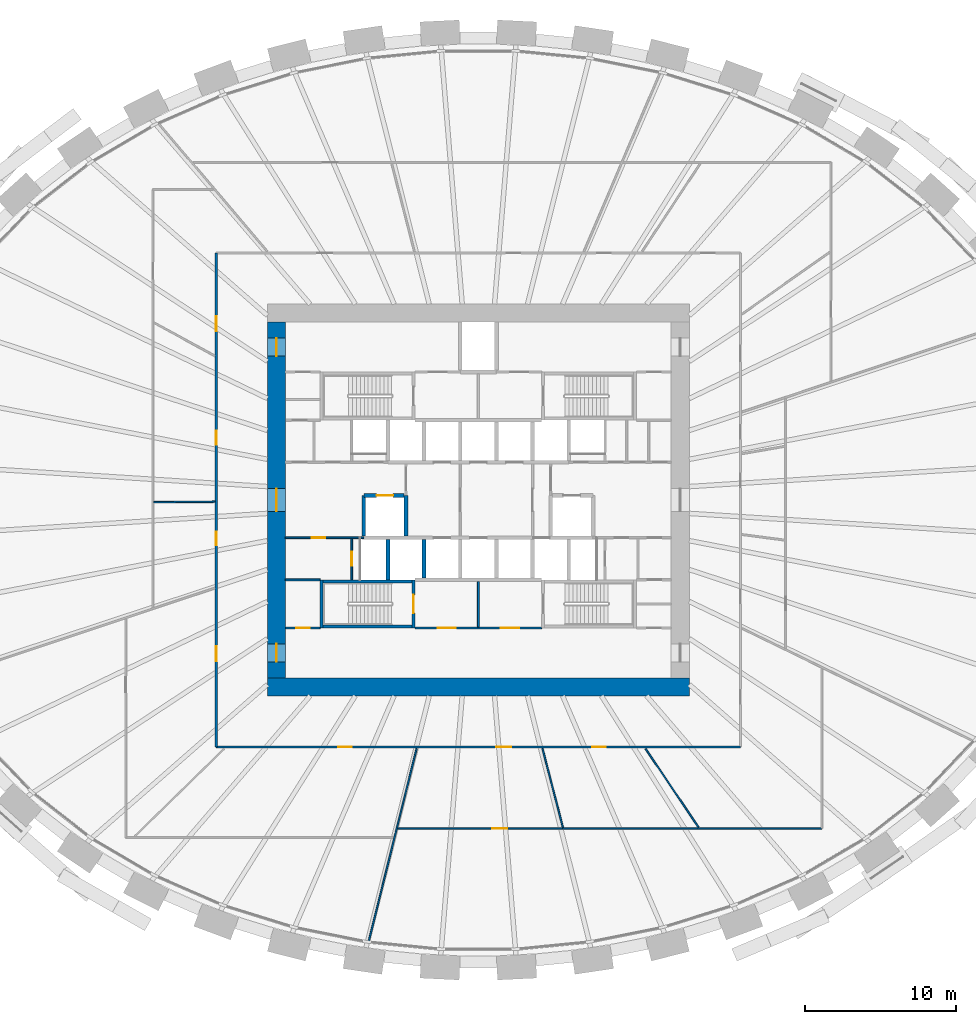
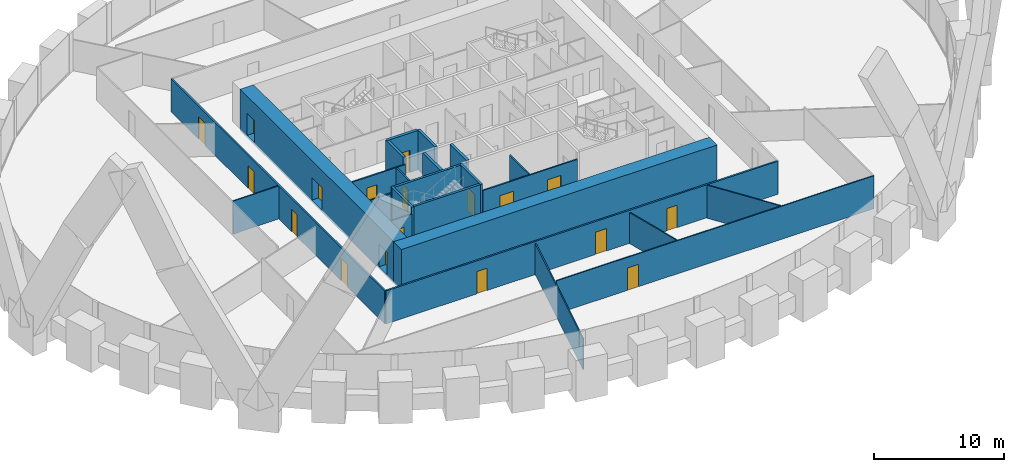
# One storey, part 7 of 12: 24 walls, 18 doors, 18 openings.
"""IFC4 building model written with IfcOpenShell, lengths in metres."""

import ifcopenshell
import ifcopenshell.guid

model = None  # the IFC model being written
_history = None  # IfcOwnerHistory: only IFC2X3 demands one
_inside = {}  # id of a spatial element -> (the spatial element, [elements in it])
_under = {}  # id of a project, library or spatial element -> (it, [spatial elements below it])
_declared = {}  # id of a project -> (the project, [libraries it declares])
_typed = {}  # id of a type object -> (the type object, [elements of that type])
_made_of = {}  # id of a material, layer set ... -> (it, [elements and type objects made of it])


def new_model(schema):
    """Start an empty IFC model of exactly this schema.

    Asked for "IFC4X3", IfcOpenShell would pick the latest addendum, in which some entities
    have other attributes; the version numbers below select the first issue.
    IFC2X3 requires an IfcOwnerHistory on every rooted entity: one is made here for all.
    """
    global model, _history
    if schema == "IFC4X3":
        model = ifcopenshell.file(schema_version=(4, 3, 0, 0))
    else:
        model = ifcopenshell.file(schema=schema)
    _inside.clear()
    _under.clear()
    _declared.clear()
    _typed.clear()
    _made_of.clear()
    _history = None
    if model.schema == "IFC2X3":
        org = make("IfcOrganization", Name="unknown")
        user = make(
            "IfcPersonAndOrganization",
            ThePerson=make("IfcPerson", FamilyName="unknown"),
            TheOrganization=org,
        )
        app = make(
            "IfcApplication",
            ApplicationDeveloper=org,
            Version="unknown",
            ApplicationFullName="unknown",
            ApplicationIdentifier="unknown",
        )
        _history = make(
            "IfcOwnerHistory",
            OwningUser=user,
            OwningApplication=app,
            ChangeAction="ADDED",
            CreationDate=0,
        )
    return model


def make(cls, **values):
    """One entity of the class cls with the attributes given. An attribute that is None is left unset."""
    return model.create_entity(
        cls, **{name: value for name, value in values.items() if value is not None}
    )


def rooted(cls, **values):
    """An entity with a GlobalId (a new one), such as an element, a storey or a relation."""
    return make(cls, GlobalId=ifcopenshell.guid.new(), OwnerHistory=_history, **values)


def si_unit(unit_type, name, prefix=None):
    """IfcSIUnit, for example si_unit("LENGTHUNIT", "METRE", prefix="MILLI")."""
    return make("IfcSIUnit", UnitType=unit_type, Prefix=prefix, Name=name)


def assignment(units):
    """IfcUnitAssignment: the units of a project."""
    return None if units is None else make("IfcUnitAssignment", Units=units)


def point(xyz):
    """IfcCartesianPoint."""
    return None if xyz is None else make("IfcCartesianPoint", Coordinates=xyz)


def direction(xyz):
    """IfcDirection."""
    return None if xyz is None else make("IfcDirection", DirectionRatios=xyz)


def frame(location, z_axis=None, x_axis=None):
    """IfcAxis2Placement3D, a coordinate frame: its origin and axes. An axis left out is left unset."""
    return make(
        "IfcAxis2Placement3D",
        Location=point(location),
        Axis=direction(z_axis),
        RefDirection=direction(x_axis),
    )


def frame_2d(location, x_axis=None):
    """IfcAxis2Placement2D, a coordinate frame in the plane: its origin and x axis."""
    return make(
        "IfcAxis2Placement2D", Location=point(location), RefDirection=direction(x_axis)
    )


def origin():
    """The frame at (0, 0, 0) with its axes left unset."""
    return frame((0.0, 0.0, 0.0))


def place(relative_to, where):
    """IfcLocalPlacement: puts the frame where relative to a parent placement (None: the world)."""
    return make(
        "IfcLocalPlacement", PlacementRelTo=relative_to, RelativePlacement=where
    )


def context(
    kind, dimensions, precision=None, world=None, true_north=None, identifier=None
):
    """IfcGeometricRepresentationContext, for example the 3D "Model" context."""
    return make(
        "IfcGeometricRepresentationContext",
        ContextIdentifier=identifier,
        ContextType=kind,
        CoordinateSpaceDimension=dimensions,
        Precision=precision,
        WorldCoordinateSystem=world,
        TrueNorth=true_north,
    )


def subcontext(parent, identifier, kind, view, scale=None):
    """IfcGeometricRepresentationSubContext, for example "Body" below "Model"."""
    return make(
        "IfcGeometricRepresentationSubContext",
        ContextIdentifier=identifier,
        ContextType=kind,
        ParentContext=parent,
        TargetScale=scale,
        TargetView=view,
    )


def project(units=None, contexts=None):
    """IfcProject with its units and contexts."""
    return rooted(
        "IfcProject",
        Name="project",
        RepresentationContexts=contexts,
        UnitsInContext=assignment(units),
    )


def spatial(cls, under=None, at=None, **own):
    """A site, building, storey or space (cls), placed at a placement, below another one or the project."""
    s = rooted(cls, ObjectPlacement=at, **own)
    if under is not None:
        _under.setdefault(under.id(), (under, []))[1].append(s)
    return s


def profile(cls, at=None, kind="AREA", **sizes):
    """A parametric profile (cls). Its sizes go by their IFC names, for example OverallWidth=200.0."""
    return make(cls, ProfileType=kind, Position=at, **sizes)


def rectangle(**sizes):
    """IfcRectangleProfileDef."""
    return profile("IfcRectangleProfileDef", **sizes)


def extrude(swept, where, along, depth):
    """IfcExtrudedAreaSolid: the profile swept, set in the frame where, extruded along a direction by depth."""
    return make(
        "IfcExtrudedAreaSolid",
        SweptArea=swept,
        Position=where,
        ExtrudedDirection=direction(along),
        Depth=depth,
    )


def shape(context_of_items, identifier, shape_type, items):
    """IfcShapeRepresentation: the items that make up one representation, for example the "Body"."""
    return make(
        "IfcShapeRepresentation",
        ContextOfItems=context_of_items,
        RepresentationIdentifier=identifier,
        RepresentationType=shape_type,
        Items=items,
    )


def source(mapping_origin, context_of_items, identifier, shape_type, items):
    """IfcRepresentationMap: a shape defined once, which mapped items show again and again."""
    return make(
        "IfcRepresentationMap",
        MappingOrigin=mapping_origin,
        MappedRepresentation=shape(context_of_items, identifier, shape_type, items),
    )


def transform(
    local_origin,
    x_axis=None,
    y_axis=None,
    z_axis=None,
    scale=None,
    scale2=None,
    scale3=None,
    uniform=True,
):
    """IfcCartesianTransformationOperator3D, or its non-uniform kind. x_axis, y_axis, z_axis: its Axis1, 2, 3."""
    if uniform:
        return make(
            "IfcCartesianTransformationOperator3D",
            Axis1=direction(x_axis),
            Axis2=direction(y_axis),
            LocalOrigin=point(local_origin),
            Scale=scale,
            Axis3=direction(z_axis),
        )
    return make(
        "IfcCartesianTransformationOperator3DnonUniform",
        Axis1=direction(x_axis),
        Axis2=direction(y_axis),
        LocalOrigin=point(local_origin),
        Scale=scale,
        Axis3=direction(z_axis),
        Scale2=scale2,
        Scale3=scale3,
    )


def mapped(mapping_source, mapping_target):
    """IfcMappedItem: shows the shape of a source again, moved by a transform."""
    return make(
        "IfcMappedItem", MappingSource=mapping_source, MappingTarget=mapping_target
    )


def material(Name=None, Category=None):
    """IfcMaterial."""
    return make("IfcMaterial", Name=Name, Category=Category)


def layer(
    of_material, thickness, ventilated=None, Name=None, Category=None, Priority=None
):
    """IfcMaterialLayer: one layer of a wall or slab, of a material (None: an air gap)."""
    return make(
        "IfcMaterialLayer",
        Material=of_material,
        LayerThickness=thickness,
        IsVentilated=ventilated,
        Name=Name,
        Category=Category,
        Priority=Priority,
    )


def layer_set(layers, Name=None):
    """IfcMaterialLayerSet."""
    return make("IfcMaterialLayerSet", MaterialLayers=layers, LayerSetName=Name)


def made_of(thing, what):
    """Note that an element or type object is made of a material, layer set ...; save() writes the relation."""
    if what is not None:
        _made_of.setdefault(what.id(), (what, []))[1].append(thing)
    return thing


def type_object(cls, material=None, **own):
    """A type object (cls), such as IfcWallType, which elements share."""
    return made_of(rooted(cls, **own), material)


def element(
    cls,
    number,
    at=None,
    inside=None,
    cuts=None,
    type_object=None,
    material=None,
    context=None,
    identifier="Body",
    shape_type=None,
    held_by="IfcProductDefinitionShape",
    body=None,
    shapes=None,
    **own,
):
    """One element of the class cls, such as IfcWall. Its Tag is "e" and its number.

    at: its placement. inside: the storey or other place that contains it. cuts: it is an
    opening in that element (IfcRelVoidsElement). A single representation is given by context,
    identifier, shape_type and body (its items); several are given by shapes. held_by: the class
    of the entity that holds the representations. save() writes the other relations.
    """
    e = rooted(cls, Tag="e%d" % number, ObjectPlacement=at, **own)
    if body is not None:
        shapes = [shape(context, identifier, shape_type, body)]
    if shapes is not None:
        e.Representation = make(held_by, Representations=shapes)
    if inside is not None:
        _inside.setdefault(inside.id(), (inside, []))[1].append(e)
    if cuts is not None:
        rooted(
            "IfcRelVoidsElement", RelatingBuildingElement=cuts, RelatedOpeningElement=e
        )
    if type_object is not None:
        _typed.setdefault(type_object.id(), (type_object, []))[1].append(e)
    return made_of(e, material)


def fill(opening, filler):
    """IfcRelFillsElement: the door or window that sits in an opening."""
    return rooted(
        "IfcRelFillsElement",
        RelatingOpeningElement=opening,
        RelatedBuildingElement=filler,
    )


def aggregate(whole, parts):
    """IfcRelAggregates: a whole, such as a stair, and the parts it consists of."""
    return rooted("IfcRelAggregates", RelatingObject=whole, RelatedObjects=parts)


def save(model, path):
    """Write the relations noted so far, then the file.

    IfcRelAggregates (storeys below a building ...), IfcRelContainedInSpatialStructure (elements
    in a storey), IfcRelDefinesByType, IfcRelAssociatesMaterial and IfcRelDeclares: one each for
    every whole, place, type object, material and project.
    """
    for whole, parts in _under.values():
        aggregate(whole, parts)
    for where, things in _inside.values():
        rooted(
            "IfcRelContainedInSpatialStructure",
            RelatedElements=things,
            RelatingStructure=where,
        )
    for kind, things in _typed.values():
        rooted("IfcRelDefinesByType", RelatedObjects=things, RelatingType=kind)
    for what, things in _made_of.values():
        rooted("IfcRelAssociatesMaterial", RelatedObjects=things, RelatingMaterial=what)
    for by, libraries in _declared.values():
        rooted("IfcRelDeclares", RelatingContext=by, RelatedDefinitions=libraries)
    model.write(path)


model = new_model("IFC4")

# Units and contexts
model_context = context("Model", 3, precision=1e-05, world=origin(), true_north=direction((0.0, 1.0)))
body_context = subcontext(model_context, "Body", "Model", "MODEL_VIEW")
ifc_project = project(units=[si_unit("LENGTHUNIT", "METRE"), si_unit("AREAUNIT", "SQUARE_METRE"), si_unit("VOLUMEUNIT", "CUBIC_METRE"), si_unit("PLANEANGLEUNIT", "RADIAN"), si_unit("MASSUNIT", "GRAM", prefix="KILO")], contexts=[model_context])

# Site, building, storey
site_placement = place(None, origin())
site = spatial("IfcSite", under=ifc_project, at=site_placement, CompositionType="ELEMENT")
building_placement = place(site_placement, origin())
building = spatial("IfcBuilding", under=site, at=building_placement, Name="Embergate Tower", CompositionType="ELEMENT")
storey_placement = place(building_placement, frame((0.0, 0.0, 45.800048828125)))
storey = spatial("IfcBuildingStorey", under=building, at=storey_placement, Name="L07", CompositionType="ELEMENT", Elevation=45.800048828125)

# Wall
ifc_material_1 = material(Name="Concrete C80", Category="concrete")
ifc_layer_1 = layer(ifc_material_1, 1.199951171875)
ifc_layer_set_1 = layer_set([ifc_layer_1], Name="Concrete C80")
wall_type_1 = type_object("IfcWallType", Name="Core outer wall C80 1200", PredefinedType="SHEAR", material=ifc_layer_set_1)
shared_shape_1 = source(origin(), body_context, "Body", "SweptSolid", [
    extrude(rectangle(XDim=28.0, YDim=1.199951171875, at=frame_2d((14.0, 0.0))), origin(), (0.0, 0.0, 1.0), 3.89990234375),
])
wall_1_placement = place(storey_placement, frame((-14.0, -12.39990234375, -0.199951171875), z_axis=(0.0, 0.0, 1.0), x_axis=(1.0, 0.0, 0.0)))
element("IfcWall", 1, at=wall_1_placement, inside=storey, type_object=wall_type_1, Name="CW-L07-S", PredefinedType="SHEAR", context=body_context, shape_type="MappedRepresentation", body=[
    mapped(shared_shape_1, transform((0.0, 0.0, 0.0))),
])

# Wall, openings, doors
shared_shape_2 = source(origin(), body_context, "Body", "SweptSolid", [
    extrude(rectangle(XDim=23.60009765625, YDim=1.199951171875, at=frame_2d((11.800048828125, 0.0))), origin(), (0.0, 0.0, 1.0), 3.89990234375),
])
wall_2_placement = place(storey_placement, frame((-13.39990234375, -11.800048828125, -0.199951171875), z_axis=(0.0, 0.0, 1.0), x_axis=(0.0, 1.0, 0.0)))
wall_2 = element("IfcWall", 2, at=wall_2_placement, inside=storey, type_object=wall_type_1, Name="CW-L07-W", PredefinedType="SHEAR", context=body_context, shape_type="MappedRepresentation", body=[
    mapped(shared_shape_2, transform((0.0, 0.0, 0.0))),
])
shared_shape_3 = source(origin(), body_context, "Body", "SweptSolid", [
    extrude(rectangle(XDim=1.199951171875, YDim=2.10009765625, at=frame_2d((0.60009765625, 1.050048828125))), frame((0.0, 0.60986328125, 0.0), z_axis=(0.0, -1.0, 0.0), x_axis=(1.0, 0.0, 0.0)), (0.0, 0.0, 1.0), 1.219970703125),
])
opening_1_placement = place(wall_2_placement, frame((21.35009765625, 0.0, 0.199951171875)))
opening_1 = element("IfcOpeningElement", 3, at=opening_1_placement, cuts=wall_2, Name="Opening IF-1", PredefinedType="OPENING", context=body_context, shape_type="MappedRepresentation", body=[
    mapped(shared_shape_3, transform((0.0, 0.0, 0.0))),
])
opening_2_placement = place(wall_2_placement, frame((1.050048828125, 0.0, 0.199951171875)))
opening_2 = element("IfcOpeningElement", 4, at=opening_2_placement, cuts=wall_2, Name="Opening IF-1", PredefinedType="OPENING", context=body_context, shape_type="MappedRepresentation", body=[
    mapped(shared_shape_3, transform((0.0, 0.0, 0.0))),
])
shared_shape_4 = source(origin(), body_context, "Body", "SweptSolid", [
    extrude(rectangle(XDim=1.5, YDim=2.10009765625, at=frame_2d((0.75, 1.050048828125))), frame((0.0, 0.60986328125, 0.0), z_axis=(0.0, -1.0, 0.0), x_axis=(1.0, 0.0, 0.0)), (0.0, 0.0, 1.0), 1.219970703125),
])
opening_3_placement = place(wall_2_placement, frame((11.050048828125, 0.0, 0.199951171875)))
opening_3 = element("IfcOpeningElement", 5, at=opening_3_placement, cuts=wall_2, Name="Opening IF-3", PredefinedType="OPENING", context=body_context, shape_type="MappedRepresentation", body=[
    mapped(shared_shape_4, transform((0.0, 0.0, 0.0))),
])
ifc_material_2 = material(Name="Escape fire door 1200")
door_type_1 = type_object("IfcDoorType", Name="Escape fire door 1200", OperationType="SINGLE_SWING_LEFT", PredefinedType="DOOR", material=ifc_material_2)
shared_shape_5 = source(origin(), body_context, "Body", "SweptSolid", [
    extrude(rectangle(XDim=1.199951171875, YDim=2.10009765625, at=frame_2d((0.60009765625, 1.050048828125))), frame((0.0, 0.02490234375, 0.0), z_axis=(0.0, -1.0, 0.0), x_axis=(1.0, 0.0, 0.0)), (0.0, 0.0, 1.0), 0.050048828125),
])
door_1_placement = place(opening_1_placement, origin())
door_1 = element("IfcDoor", 6, at=door_1_placement, inside=storey, type_object=door_type_1, Name="IF-1 door", OperationType="SINGLE_SWING_RIGHT", OverallHeight=2.10009765625, OverallWidth=1.199951171875, PredefinedType="DOOR", context=body_context, shape_type="MappedRepresentation", body=[
    mapped(shared_shape_5, transform((0.0, 0.0, 0.0))),
])
fill(opening_1, door_1)
door_2_placement = place(opening_2_placement, origin())
door_2 = element("IfcDoor", 7, at=door_2_placement, inside=storey, type_object=door_type_1, Name="IF-1 door", OperationType="SINGLE_SWING_RIGHT", OverallHeight=2.10009765625, OverallWidth=1.199951171875, PredefinedType="DOOR", context=body_context, shape_type="MappedRepresentation", body=[
    mapped(shared_shape_5, transform((0.0, 0.0, 0.0))),
])
fill(opening_2, door_2)
ifc_material_3 = material(Name="Lobby fire door pair 1500")
door_type_2 = type_object("IfcDoorType", Name="Lobby fire door pair 1500", OperationType="DOUBLE_DOOR_SINGLE_SWING", PredefinedType="DOOR", material=ifc_material_3)
shared_shape_6 = source(origin(), body_context, "Body", "SweptSolid", [
    extrude(rectangle(XDim=1.5, YDim=2.10009765625, at=frame_2d((0.75, 1.050048828125))), frame((0.0, 0.02490234375, 0.0), z_axis=(0.0, -1.0, 0.0), x_axis=(1.0, 0.0, 0.0)), (0.0, 0.0, 1.0), 0.050048828125),
])
door_3_placement = place(opening_3_placement, origin())
door_3 = element("IfcDoor", 8, at=door_3_placement, inside=storey, type_object=door_type_2, Name="IF-3 door", OperationType="DOUBLE_DOOR_SINGLE_SWING", OverallHeight=2.10009765625, OverallWidth=1.5, PredefinedType="DOOR", context=body_context, shape_type="MappedRepresentation", body=[
    mapped(shared_shape_6, transform((0.0, 0.0, 0.0))),
])
fill(opening_3, door_3)

# Walls
ifc_material_4 = material(Name="Concrete C50", Category="concrete")
ifc_layer_2 = layer(ifc_material_4, 0.25)
ifc_layer_set_2 = layer_set([ifc_layer_2], Name="Concrete C50")
wall_type_2 = type_object("IfcWallType", Name="Hoistway wall reinforced concrete 250", PredefinedType="SHEAR", material=ifc_layer_set_2)
shared_shape_7 = source(origin(), body_context, "Body", "SweptSolid", [
    extrude(rectangle(XDim=2.675048828125, YDim=0.25, at=frame_2d((1.33740234375, 0.0))), origin(), (0.0, 0.0, 1.0), 3.699951171875),
])
for number, where, z_axis, x_axis, name in (
    (9, (-6.0, -5.300048828125, 0.0), (0.0, 0.0, 1.0), (0.0, 1.0, 0.0), "HW-1 wall"),
    (10, (-4.800048828125, 0.300048828125, 0.0), (0.0, 0.0, 1.0), (0.0, -1.0, 0.0), "HW-1 wall"),
):
    element("IfcWall", number, at=place(storey_placement, frame(where, z_axis=z_axis, x_axis=x_axis)), inside=storey, type_object=wall_type_2, Name=name, PredefinedType="SHEAR", context=body_context, shape_type="MappedRepresentation", body=[
        mapped(shared_shape_7, transform((0.0, 0.0, 0.0))),
    ])

# Wall, opening, door
wall_3_placement = place(storey_placement, frame((-4.925048828125, 0.300048828125, 0.0), z_axis=(0.0, 0.0, 1.0), x_axis=(-1.0, 0.0, 0.0)))
wall_3 = element("IfcWall", 11, at=wall_3_placement, inside=storey, type_object=wall_type_2, Name="HW-1 wall", PredefinedType="SHEAR", context=body_context, shape_type="MappedRepresentation", body=[
    mapped(shared_shape_7, transform((0.0, 0.0, 0.0))),
])
shared_shape_8 = source(origin(), body_context, "Body", "SweptSolid", [
    extrude(rectangle(XDim=1.10009765625, YDim=2.10009765625, at=frame_2d((0.550048828125, 1.050048828125))), frame((0.0, 0.135009765625, 0.0), z_axis=(0.0, -1.0, 0.0), x_axis=(1.0, 0.0, 0.0)), (0.0, 0.0, 1.0), 0.27001953125),
])
opening_4_placement = place(wall_3_placement, frame((0.72509765625, 0.0, 0.0)))
opening_4 = element("IfcOpeningElement", 12, at=opening_4_placement, cuts=wall_3, Name="Opening LD", PredefinedType="OPENING", context=body_context, shape_type="MappedRepresentation", body=[
    mapped(shared_shape_8, transform((0.0, 0.0, 0.0))),
])
ifc_material_5 = material(Name="Landing door sliding 1100")
door_type_3 = type_object("IfcDoorType", Name="Landing door sliding 1100", OperationType="SLIDING_TO_LEFT", PredefinedType="DOOR", material=ifc_material_5)
shared_shape_9 = source(origin(), body_context, "Body", "SweptSolid", [
    extrude(rectangle(XDim=1.10009765625, YDim=2.10009765625, at=frame_2d((0.550048828125, 1.050048828125))), frame((0.0, 0.02490234375, 0.0), z_axis=(0.0, -1.0, 0.0), x_axis=(1.0, 0.0, 0.0)), (0.0, 0.0, 1.0), 0.050048828125),
])
door_4_placement = place(opening_4_placement, origin())
door_4 = element("IfcDoor", 13, at=door_4_placement, inside=storey, type_object=door_type_3, Name="LD door", OperationType="SLIDING_TO_LEFT", OverallHeight=2.10009765625, OverallWidth=1.10009765625, PredefinedType="DOOR", context=body_context, shape_type="MappedRepresentation", body=[
    mapped(shared_shape_9, transform((0.0, 0.0, 0.0))),
])
fill(opening_4, door_4)

# Walls
wall_4_placement = place(storey_placement, frame((-7.60009765625, 0.300048828125, 0.0), z_axis=(0.0, 0.0, 1.0), x_axis=(0.0, -1.0, 0.0)))
element("IfcWall", 14, at=wall_4_placement, inside=storey, type_object=wall_type_2, Name="HW-1 wall", PredefinedType="SHEAR", context=body_context, shape_type="MappedRepresentation", body=[
    mapped(shared_shape_7, transform((0.0, 0.0, 0.0))),
])
ifc_layer_3 = layer(ifc_material_4, 0.199951171875)
ifc_layer_set_3 = layer_set([ifc_layer_3], Name="Concrete C50")
wall_type_3 = type_object("IfcWallType", Name="Stair enclosure wall reinforced concrete 250", PredefinedType="SHEAR", material=ifc_layer_set_3)
shared_shape_10 = source(origin(), body_context, "Body", "SweptSolid", [
    extrude(rectangle(XDim=6.300048828125, YDim=0.199951171875, at=frame_2d((3.14990234375, 0.0))), origin(), (0.0, 0.0, 1.0), 3.699951171875),
])
for number, where, z_axis, x_axis, name in (
    (15, (-10.5, -5.39990234375, 0.0), (0.0, 0.0, 1.0), (1.0, 0.0, 0.0), "SE-1 wall"),
    (16, (-10.5, -8.39990234375, 0.0), (0.0, 0.0, 1.0), (1.0, 0.0, 0.0), "SE-1 wall"),
):
    element("IfcWall", number, at=place(storey_placement, frame(where, z_axis=z_axis, x_axis=x_axis)), inside=storey, type_object=wall_type_3, Name=name, PredefinedType="SHEAR", context=body_context, shape_type="MappedRepresentation", body=[
        mapped(shared_shape_10, transform((0.0, 0.0, 0.0))),
    ])
shared_shape_11 = source(origin(), body_context, "Body", "SweptSolid", [
    extrude(rectangle(XDim=2.550048828125, YDim=0.25, at=frame_2d((1.27490234375, 0.0))), origin(), (0.0, 0.0, 1.0), 3.699951171875),
])
wall_5_placement = place(storey_placement, frame((-3.60009765625, -5.175048828125, 0.0), z_axis=(0.0, 0.0, 1.0), x_axis=(0.0, 1.0, 0.0)))
element("IfcWall", 17, at=wall_5_placement, inside=storey, type_object=wall_type_2, Name="HW-1 wall", PredefinedType="SHEAR", context=body_context, shape_type="MappedRepresentation", body=[
    mapped(shared_shape_11, transform((0.0, 0.0, 0.0))),
])

# Wall, opening, door
shared_shape_12 = source(origin(), body_context, "Body", "SweptSolid", [
    extrude(rectangle(XDim=3.199951171875, YDim=0.199951171875, at=frame_2d((1.60009765625, 0.0))), origin(), (0.0, 0.0, 1.0), 3.699951171875),
])
wall_6_placement = place(storey_placement, frame((-4.300048828125, -8.5, 0.0), z_axis=(0.0, 0.0, 1.0), x_axis=(0.0, 1.0, 0.0)))
wall_6 = element("IfcWall", 18, at=wall_6_placement, inside=storey, type_object=wall_type_3, Name="SE-1 wall", PredefinedType="SHEAR", context=body_context, shape_type="MappedRepresentation", body=[
    mapped(shared_shape_12, transform((0.0, 0.0, 0.0))),
])
shared_shape_13 = source(origin(), body_context, "Body", "SweptSolid", [
    extrude(rectangle(XDim=1.199951171875, YDim=2.10009765625, at=frame_2d((0.60009765625, 1.050048828125))), frame((0.0, 0.10986328125, 0.0), z_axis=(0.0, -1.0, 0.0), x_axis=(1.0, 0.0, 0.0)), (0.0, 0.0, 1.0), 0.219970703125),
])
opening_5_placement = place(wall_6_placement, frame((1.0, 0.0, 0.0)))
opening_5 = element("IfcOpeningElement", 19, at=opening_5_placement, cuts=wall_6, Name="Opening IF-2", PredefinedType="OPENING", context=body_context, shape_type="MappedRepresentation", body=[
    mapped(shared_shape_13, transform((0.0, 0.0, 0.0))),
])
ifc_material_6 = material(Name="Stair enclosure door 1200")
door_type_4 = type_object("IfcDoorType", Name="Stair enclosure door 1200", OperationType="SINGLE_SWING_LEFT", PredefinedType="DOOR", material=ifc_material_6)
door_5_placement = place(opening_5_placement, origin())
door_5 = element("IfcDoor", 20, at=door_5_placement, inside=storey, type_object=door_type_4, Name="IF-2 door", OperationType="SINGLE_SWING_LEFT", OverallHeight=2.10009765625, OverallWidth=1.199951171875, PredefinedType="DOOR", context=body_context, shape_type="MappedRepresentation", body=[
    mapped(shared_shape_5, transform((0.0, 0.0, 0.0))),
])
fill(opening_5, door_5)

# Wall
wall_7_placement = place(storey_placement, frame((-10.39990234375, -5.300048828125, 0.0), z_axis=(0.0, 0.0, 1.0), x_axis=(0.0, -1.0, 0.0)))
element("IfcWall", 21, at=wall_7_placement, inside=storey, type_object=wall_type_3, Name="SE-1 wall", PredefinedType="SHEAR", context=body_context, shape_type="MappedRepresentation", body=[
    mapped(shared_shape_12, transform((0.0, 0.0, 0.0))),
])

# Wall, openings, doors
ifc_material_7 = material(Name="Corridor wall dry-lined 150")
ifc_layer_4 = layer(ifc_material_7, 0.14990234375)
ifc_layer_set_4 = layer_set([ifc_layer_4], Name="Corridor wall dry-lined 150")
wall_type_4 = type_object("IfcWallType", Name="Corridor wall dry-lined 150", PredefinedType="PARTITIONING", material=ifc_layer_set_4)
shared_shape_14 = source(origin(), body_context, "Body", "SweptSolid", [
    extrude(rectangle(XDim=34.7998046875, YDim=0.14990234375, at=frame_2d((17.39990234375, 0.0))), origin(), (0.0, 0.0, 1.0), 3.099853515625),
])
wall_8_placement = place(storey_placement, frame((17.39990234375, -16.39990234375, 0.0), z_axis=(0.0, 0.0, 1.0), x_axis=(-1.0, 0.0, 0.0)))
wall_8 = element("IfcWall", 22, at=wall_8_placement, inside=storey, type_object=wall_type_4, Name="IP-2 wall", PredefinedType="PARTITIONING", context=body_context, shape_type="MappedRepresentation", body=[
    mapped(shared_shape_14, transform((0.0, 0.0, 0.0))),
])
shared_shape_15 = source(origin(), body_context, "Body", "SweptSolid", [
    extrude(rectangle(XDim=0.89990234375, YDim=2.10009765625, at=frame_2d((0.449951171875, 1.050048828125))), frame((0.0, 0.0849609375, 0.0), z_axis=(0.0, -1.0, 0.0), x_axis=(1.0, 0.0, 0.0)), (0.0, 0.0, 1.0), 0.169921875),
])
opening_6_placement = place(wall_8_placement, frame((25.799072265625, 0.0, 0.0)))
opening_6 = element("IfcOpeningElement", 23, at=opening_6_placement, cuts=wall_8, Name="Opening IF-1c", PredefinedType="OPENING", context=body_context, shape_type="MappedRepresentation", body=[
    mapped(shared_shape_15, transform((0.0, 0.0, 0.0))),
])
shared_shape_16 = source(origin(), body_context, "Body", "SweptSolid", [
    extrude(rectangle(XDim=1.0, YDim=2.10009765625, at=frame_2d((0.5, 1.050048828125))), frame((0.0, 0.0849609375, 0.0), z_axis=(0.0, -1.0, 0.0), x_axis=(1.0, 0.0, 0.0)), (0.0, 0.0, 1.0), 0.169921875),
])
opening_7_placement = place(wall_8_placement, frame((15.2099609375, 0.0, 0.0)))
opening_7 = element("IfcOpeningElement", 24, at=opening_7_placement, cuts=wall_8, Name="Opening ID-2", PredefinedType="OPENING", context=body_context, shape_type="MappedRepresentation", body=[
    mapped(shared_shape_16, transform((0.0, 0.0, 0.0))),
])
opening_8_placement = place(wall_8_placement, frame((8.947998046875, 0.0, 0.0)))
opening_8 = element("IfcOpeningElement", 25, at=opening_8_placement, cuts=wall_8, Name="Opening IF-1c", PredefinedType="OPENING", context=body_context, shape_type="MappedRepresentation", body=[
    mapped(shared_shape_15, transform((0.0, 0.0, 0.0))),
])
ifc_material_8 = material(Name="Escape fire door 900")
door_type_5 = type_object("IfcDoorType", Name="Escape fire door 900", OperationType="SINGLE_SWING_LEFT", PredefinedType="DOOR", material=ifc_material_8)
shared_shape_17 = source(origin(), body_context, "Body", "SweptSolid", [
    extrude(rectangle(XDim=0.89990234375, YDim=2.10009765625, at=frame_2d((0.449951171875, 1.050048828125))), frame((0.0, 0.02490234375, 0.0), z_axis=(0.0, -1.0, 0.0), x_axis=(1.0, 0.0, 0.0)), (0.0, 0.0, 1.0), 0.050048828125),
])
door_6_placement = place(opening_6_placement, origin())
door_6 = element("IfcDoor", 26, at=door_6_placement, inside=storey, type_object=door_type_5, Name="IF-1 door", OperationType="SINGLE_SWING_LEFT", OverallHeight=2.10009765625, OverallWidth=0.89990234375, PredefinedType="DOOR", context=body_context, shape_type="MappedRepresentation", body=[
    mapped(shared_shape_17, transform((0.0, 0.0, 0.0))),
])
fill(opening_6, door_6)
door_7_placement = place(opening_8_placement, origin())
door_7 = element("IfcDoor", 27, at=door_7_placement, inside=storey, type_object=door_type_5, Name="IF-1 door", OperationType="SINGLE_SWING_LEFT", OverallHeight=2.10009765625, OverallWidth=0.89990234375, PredefinedType="DOOR", context=body_context, shape_type="MappedRepresentation", body=[
    mapped(shared_shape_17, transform((0.0, 0.0, 0.0))),
])
fill(opening_8, door_7)
ifc_material_9 = material(Name="Interior door 1000")
door_type_6 = type_object("IfcDoorType", Name="Interior door 1000", OperationType="SINGLE_SWING_LEFT", PredefinedType="DOOR", material=ifc_material_9)
shared_shape_18 = source(origin(), body_context, "Body", "SweptSolid", [
    extrude(rectangle(XDim=1.0, YDim=2.10009765625, at=frame_2d((0.5, 1.050048828125))), frame((0.0, 0.02490234375, 0.0), z_axis=(0.0, -1.0, 0.0), x_axis=(1.0, 0.0, 0.0)), (0.0, 0.0, 1.0), 0.050048828125),
])
door_8_placement = place(opening_7_placement, origin())
door_8 = element("IfcDoor", 28, at=door_8_placement, inside=storey, type_object=door_type_6, Name="ID-2 door", OperationType="SINGLE_SWING_RIGHT", OverallHeight=2.10009765625, OverallWidth=1.0, PredefinedType="DOOR", context=body_context, shape_type="MappedRepresentation", body=[
    mapped(shared_shape_18, transform((0.0, 0.0, 0.0))),
])
fill(opening_7, door_8)

shared_shape_19 = source(origin(), body_context, "Body", "SweptSolid", [
    extrude(rectangle(XDim=32.7998046875, YDim=0.14990234375, at=frame_2d((16.39990234375, 0.0))), origin(), (0.0, 0.0, 1.0), 3.099853515625),
])
wall_9_placement = place(storey_placement, frame((-17.39990234375, -16.39990234375, 0.0), z_axis=(0.0, 0.0, 1.0), x_axis=(0.0, 1.0, 0.0)))
wall_9 = element("IfcWall", 29, at=wall_9_placement, inside=storey, type_object=wall_type_4, Name="IP-2 wall", PredefinedType="PARTITIONING", context=body_context, shape_type="MappedRepresentation", body=[
    mapped(shared_shape_19, transform((0.0, 0.0, 0.0))),
])
opening_9_placement = place(wall_9_placement, frame((5.69189453125, 0.0, 0.0)))
opening_9 = element("IfcOpeningElement", 30, at=opening_9_placement, cuts=wall_9, Name="Opening ID-2", PredefinedType="OPENING", context=body_context, shape_type="MappedRepresentation", body=[
    mapped(shared_shape_16, transform((0.0, 0.0, 0.0))),
])
opening_10_placement = place(wall_9_placement, frame((27.5869140625, 0.0, 0.0)))
opening_10 = element("IfcOpeningElement", 31, at=opening_10_placement, cuts=wall_9, Name="Opening ID-2", PredefinedType="OPENING", context=body_context, shape_type="MappedRepresentation", body=[
    mapped(shared_shape_16, transform((0.0, 0.0, 0.0))),
])
opening_11_placement = place(wall_9_placement, frame((20.080078125, 0.0, 0.0)))
opening_11 = element("IfcOpeningElement", 32, at=opening_11_placement, cuts=wall_9, Name="Opening IF-1c", PredefinedType="OPENING", context=body_context, shape_type="MappedRepresentation", body=[
    mapped(shared_shape_15, transform((0.0, 0.0, 0.0))),
])
opening_12_placement = place(wall_9_placement, frame((13.406005859375, 0.0, 0.0)))
opening_12 = element("IfcOpeningElement", 33, at=opening_12_placement, cuts=wall_9, Name="Opening IF-1c", PredefinedType="OPENING", context=body_context, shape_type="MappedRepresentation", body=[
    mapped(shared_shape_15, transform((0.0, 0.0, 0.0))),
])
door_9_placement = place(opening_11_placement, origin())
door_9 = element("IfcDoor", 34, at=door_9_placement, inside=storey, type_object=door_type_5, Name="IF-1 door", OperationType="SINGLE_SWING_LEFT", OverallHeight=2.10009765625, OverallWidth=0.89990234375, PredefinedType="DOOR", context=body_context, shape_type="MappedRepresentation", body=[
    mapped(shared_shape_17, transform((0.0, 0.0, 0.0))),
])
fill(opening_11, door_9)
door_10_placement = place(opening_12_placement, origin())
door_10 = element("IfcDoor", 35, at=door_10_placement, inside=storey, type_object=door_type_5, Name="IF-1 door", OperationType="SINGLE_SWING_LEFT", OverallHeight=2.10009765625, OverallWidth=0.89990234375, PredefinedType="DOOR", context=body_context, shape_type="MappedRepresentation", body=[
    mapped(shared_shape_17, transform((0.0, 0.0, 0.0))),
])
fill(opening_12, door_10)
door_11_placement = place(opening_9_placement, origin())
door_11 = element("IfcDoor", 36, at=door_11_placement, inside=storey, type_object=door_type_6, Name="ID-2 door", OperationType="SINGLE_SWING_LEFT", OverallHeight=2.10009765625, OverallWidth=1.0, PredefinedType="DOOR", context=body_context, shape_type="MappedRepresentation", body=[
    mapped(shared_shape_18, transform((0.0, 0.0, 0.0))),
])
fill(opening_9, door_11)
door_12_placement = place(opening_10_placement, origin())
door_12 = element("IfcDoor", 37, at=door_12_placement, inside=storey, type_object=door_type_6, Name="ID-2 door", OperationType="SINGLE_SWING_LEFT", OverallHeight=2.10009765625, OverallWidth=1.0, PredefinedType="DOOR", context=body_context, shape_type="MappedRepresentation", body=[
    mapped(shared_shape_18, transform((0.0, 0.0, 0.0))),
])
fill(opening_10, door_12)

# Walls
ifc_material_10 = material(Name="Partition dry-lined 100")
ifc_layer_5 = layer(ifc_material_10, 0.10009765625)
ifc_layer_set_5 = layer_set([ifc_layer_5], Name="Partition dry-lined 100")
wall_type_5 = type_object("IfcWallType", Name="Partition dry-lined 100", PredefinedType="PARTITIONING", material=ifc_layer_set_5)
shared_shape_20 = source(origin(), body_context, "Body", "SweptSolid", [
    extrude(rectangle(XDim=13.22998046875, YDim=0.10009765625, at=frame_2d((6.614990234375, 0.0))), origin(), (0.0, 0.0, 1.0), 2.89990234375),
])
wall_10_placement = place(storey_placement, frame((-7.283935546875, -29.326904296875, 0.0), z_axis=(0.0, 0.0, 1.0), x_axis=(0.241041676811, 0.970514765493, 0.0)))
element("IfcWall", 38, at=wall_10_placement, inside=storey, type_object=wall_type_5, Name="IP-1 wall", PredefinedType="PARTITIONING", context=body_context, shape_type="MappedRepresentation", body=[
    mapped(shared_shape_20, transform((0.0, 0.0, 0.0))),
])
shared_shape_21 = source(origin(), body_context, "Body", "SweptSolid", [
    extrude(rectangle(XDim=5.422119140625, YDim=0.10009765625, at=frame_2d((2.7109375, 0.0))), origin(), (0.0, 0.0, 1.0), 2.89990234375),
])
wall_11_placement = place(storey_placement, frame((4.256103515625, -16.488037109375, 0.0), z_axis=(0.0, 0.0, 1.0), x_axis=(0.249902531464, -0.968270997587, 0.0)))
element("IfcWall", 39, at=wall_11_placement, inside=storey, type_object=wall_type_5, Name="IP-1 wall", PredefinedType="PARTITIONING", context=body_context, shape_type="MappedRepresentation", body=[
    mapped(shared_shape_21, transform((0.0, 0.0, 0.0))),
])

# Wall, opening, door
shared_shape_22 = source(origin(), body_context, "Body", "SweptSolid", [
    extrude(rectangle(XDim=28.151123046875, YDim=0.10009765625, at=frame_2d((14.07568359375, 0.0))), origin(), (0.0, 0.0, 1.0), 3.099853515625),
])
wall_12_placement = place(storey_placement, frame((-5.35107421875, -21.800048828125, 0.0), z_axis=(0.0, 0.0, 1.0), x_axis=(1.0, 0.0, 0.0)))
wall_12 = element("IfcWall", 40, at=wall_12_placement, inside=storey, type_object=wall_type_5, Name="IP-1 wall", PredefinedType="PARTITIONING", context=body_context, shape_type="MappedRepresentation", body=[
    mapped(shared_shape_22, transform((0.0, 0.0, 0.0))),
])
shared_shape_23 = source(origin(), body_context, "Body", "SweptSolid", [
    extrude(rectangle(XDim=1.0, YDim=2.10009765625, at=frame_2d((0.5, 1.050048828125))), frame((0.0, 0.06005859375, 0.0), z_axis=(0.0, -1.0, 0.0), x_axis=(1.0, 0.0, 0.0)), (0.0, 0.0, 1.0), 0.1201171875),
])
opening_13_placement = place(wall_12_placement, frame((6.27880859375, 0.0, 0.0)))
opening_13 = element("IfcOpeningElement", 41, at=opening_13_placement, cuts=wall_12, Name="Opening ID-2", PredefinedType="OPENING", context=body_context, shape_type="MappedRepresentation", body=[
    mapped(shared_shape_23, transform((0.0, 0.0, 0.0))),
])
door_13_placement = place(opening_13_placement, origin())
door_13 = element("IfcDoor", 42, at=door_13_placement, inside=storey, type_object=door_type_6, Name="ID-2 door", OperationType="SINGLE_SWING_LEFT", OverallHeight=2.10009765625, OverallWidth=1.0, PredefinedType="DOOR", context=body_context, shape_type="MappedRepresentation", body=[
    mapped(shared_shape_18, transform((0.0, 0.0, 0.0))),
])
fill(opening_13, door_13)

# Walls
shared_shape_24 = source(origin(), body_context, "Body", "SweptSolid", [
    extrude(rectangle(XDim=6.28955078125, YDim=0.10009765625, at=frame_2d((3.144775390625, 0.0))), origin(), (0.0, 0.0, 1.0), 3.099853515625),
])
wall_13_placement = place(storey_placement, frame((14.60791015625, -21.721923828125, 0.0), z_axis=(0.0, 0.0, 1.0), x_axis=(-0.558072710541, 0.829792052113, 0.0)))
element("IfcWall", 43, at=wall_13_placement, inside=storey, type_object=wall_type_5, Name="IP-1 wall", PredefinedType="PARTITIONING", context=body_context, shape_type="MappedRepresentation", body=[
    mapped(shared_shape_24, transform((0.0, 0.0, 0.0))),
])
shared_shape_25 = source(origin(), body_context, "Body", "SweptSolid", [
    extrude(rectangle(XDim=4.074951171875, YDim=0.10009765625, at=frame_2d((2.03759765625, 0.0))), origin(), (0.0, 0.0, 1.0), 3.099853515625),
])
wall_14_placement = place(storey_placement, frame((-17.47509765625, -0.114990234375, 0.0), z_axis=(0.0, 0.0, 1.0), x_axis=(-0.999977887551, -0.006650143522, 0.0)))
element("IfcWall", 44, at=wall_14_placement, inside=storey, type_object=wall_type_5, Name="IP-1 wall", PredefinedType="PARTITIONING", context=body_context, shape_type="MappedRepresentation", body=[
    mapped(shared_shape_25, transform((0.0, 0.0, 0.0))),
])

# Wall, opening, door
ifc_material_11 = material(Name="Core partition blockwork 120")
ifc_layer_6 = layer(ifc_material_11, 0.1201171875)
ifc_layer_set_6 = layer_set([ifc_layer_6], Name="Core partition blockwork 120")
wall_type_6 = type_object("IfcWallType", Name="Core partition blockwork 120", PredefinedType="PARTITIONING", material=ifc_layer_set_6)
shared_shape_26 = source(origin(), body_context, "Body", "SweptSolid", [
    extrude(rectangle(XDim=2.739990234375, YDim=0.1201171875, at=frame_2d((1.3701171875, 0.0))), origin(), (0.0, 0.0, 1.0), 3.099853515625),
])
wall_15_placement = place(storey_placement, frame((-8.39990234375, -2.56005859375, 0.0), z_axis=(0.0, 0.0, 1.0), x_axis=(0.0, -1.0, 0.0)))
wall_15 = element("IfcWall", 45, at=wall_15_placement, inside=storey, type_object=wall_type_6, Name="IP-3 wall", PredefinedType="PARTITIONING", context=body_context, shape_type="MappedRepresentation", body=[
    mapped(shared_shape_26, transform((0.0, 0.0, 0.0))),
])
shared_shape_27 = source(origin(), body_context, "Body", "SweptSolid", [
    extrude(rectangle(XDim=0.89990234375, YDim=2.10009765625, at=frame_2d((0.449951171875, 1.050048828125))), frame((0.0, 0.070068359375, 0.0), z_axis=(0.0, -1.0, 0.0), x_axis=(1.0, 0.0, 0.0)), (0.0, 0.0, 1.0), 0.14013671875),
])
opening_14_placement = place(wall_15_placement, frame((0.889892578125, 0.0, 0.0)))
opening_14 = element("IfcOpeningElement", 46, at=opening_14_placement, cuts=wall_15, Name="Opening ID-1", PredefinedType="OPENING", context=body_context, shape_type="MappedRepresentation", body=[
    mapped(shared_shape_27, transform((0.0, 0.0, 0.0))),
])
ifc_material_12 = material(Name="Interior door 900")
door_type_7 = type_object("IfcDoorType", Name="Interior door 900", OperationType="SINGLE_SWING_LEFT", PredefinedType="DOOR", material=ifc_material_12)
door_14_placement = place(opening_14_placement, origin())
door_14 = element("IfcDoor", 47, at=door_14_placement, inside=storey, type_object=door_type_7, Name="ID-1 door", OperationType="SINGLE_SWING_LEFT", OverallHeight=2.10009765625, OverallWidth=0.89990234375, PredefinedType="DOOR", context=body_context, shape_type="MappedRepresentation", body=[
    mapped(shared_shape_17, transform((0.0, 0.0, 0.0))),
])
fill(opening_14, door_14)

shared_shape_28 = source(origin(), body_context, "Body", "SweptSolid", [
    extrude(rectangle(XDim=5.199951171875, YDim=0.1201171875, at=frame_2d((2.60009765625, 0.0))), origin(), (0.0, 0.0, 1.0), 3.099853515625),
])
wall_16_placement = place(storey_placement, frame((-7.60009765625, -2.5, 0.0), z_axis=(0.0, 0.0, 1.0), x_axis=(-1.0, 0.0, 0.0)))
wall_16 = element("IfcWall", 48, at=wall_16_placement, inside=storey, type_object=wall_type_6, Name="IP-3 wall", PredefinedType="PARTITIONING", context=body_context, shape_type="MappedRepresentation", body=[
    mapped(shared_shape_28, transform((0.0, 0.0, 0.0))),
])
opening_15_placement = place(wall_16_placement, frame((2.550048828125, 0.0, 0.0)))
opening_15 = element("IfcOpeningElement", 49, at=opening_15_placement, cuts=wall_16, Name="Opening ID-1", PredefinedType="OPENING", context=body_context, shape_type="MappedRepresentation", body=[
    mapped(shared_shape_27, transform((0.0, 0.0, 0.0))),
])
door_15_placement = place(opening_15_placement, origin())
door_15 = element("IfcDoor", 50, at=door_15_placement, inside=storey, type_object=door_type_7, Name="ID-1 door", OperationType="SINGLE_SWING_LEFT", OverallHeight=2.10009765625, OverallWidth=0.89990234375, PredefinedType="DOOR", context=body_context, shape_type="MappedRepresentation", body=[
    mapped(shared_shape_17, transform((0.0, 0.0, 0.0))),
])
fill(opening_15, door_15)

# Wall
shared_shape_29 = source(origin(), body_context, "Body", "SweptSolid", [
    extrude(rectangle(XDim=3.014892578125, YDim=0.1201171875, at=frame_2d((1.50732421875, 0.0))), origin(), (0.0, 0.0, 1.0), 3.099853515625),
])
wall_17_placement = place(storey_placement, frame((0.0, -8.43994140625, 0.0), z_axis=(0.0, 0.0, 1.0), x_axis=(0.0, 1.0, 0.0)))
element("IfcWall", 51, at=wall_17_placement, inside=storey, type_object=wall_type_6, Name="IP-3 wall", PredefinedType="PARTITIONING", context=body_context, shape_type="MappedRepresentation", body=[
    mapped(shared_shape_29, transform((0.0, 0.0, 0.0))),
])

# Wall, openings, doors
shared_shape_30 = source(origin(), body_context, "Body", "SweptSolid", [
    extrude(rectangle(XDim=8.39990234375, YDim=0.1201171875, at=frame_2d((4.199951171875, 0.0))), origin(), (0.0, 0.0, 1.0), 3.099853515625),
])
wall_18_placement = place(storey_placement, frame((-4.199951171875, -8.5, 0.0), z_axis=(0.0, 0.0, 1.0), x_axis=(1.0, 0.0, 0.0)))
wall_18 = element("IfcWall", 52, at=wall_18_placement, inside=storey, type_object=wall_type_6, Name="IP-3 wall", PredefinedType="PARTITIONING", context=body_context, shape_type="MappedRepresentation", body=[
    mapped(shared_shape_30, transform((0.0, 0.0, 0.0))),
])
shared_shape_31 = source(origin(), body_context, "Body", "SweptSolid", [
    extrude(rectangle(XDim=1.199951171875, YDim=2.10009765625, at=frame_2d((0.60009765625, 1.050048828125))), frame((0.0, 0.070068359375, 0.0), z_axis=(0.0, -1.0, 0.0), x_axis=(1.0, 0.0, 0.0)), (0.0, 0.0, 1.0), 0.14013671875),
])
opening_16_placement = place(wall_18_placement, frame((1.5, 0.0, 0.0)))
opening_16 = element("IfcOpeningElement", 53, at=opening_16_placement, cuts=wall_18, Name="Opening IF-3f", PredefinedType="OPENING", context=body_context, shape_type="MappedRepresentation", body=[
    mapped(shared_shape_31, transform((0.0, 0.0, 0.0))),
])
opening_17_placement = place(wall_18_placement, frame((5.699951171875, 0.0, 0.0)))
opening_17 = element("IfcOpeningElement", 54, at=opening_17_placement, cuts=wall_18, Name="Opening IF-3f", PredefinedType="OPENING", context=body_context, shape_type="MappedRepresentation", body=[
    mapped(shared_shape_31, transform((0.0, 0.0, 0.0))),
])
ifc_material_13 = material(Name="Lobby fire door pair 1200")
door_type_8 = type_object("IfcDoorType", Name="Lobby fire door pair 1200", OperationType="DOUBLE_DOOR_SINGLE_SWING", PredefinedType="DOOR", material=ifc_material_13)
door_16_placement = place(opening_16_placement, origin())
door_16 = element("IfcDoor", 55, at=door_16_placement, inside=storey, type_object=door_type_8, Name="IF-3 door", OperationType="DOUBLE_DOOR_SINGLE_SWING", OverallHeight=2.10009765625, OverallWidth=1.199951171875, PredefinedType="DOOR", context=body_context, shape_type="MappedRepresentation", body=[
    mapped(shared_shape_5, transform((0.0, 0.0, 0.0))),
])
fill(opening_16, door_16)
door_17_placement = place(opening_17_placement, origin())
door_17 = element("IfcDoor", 56, at=door_17_placement, inside=storey, type_object=door_type_8, Name="IF-3 door", OperationType="DOUBLE_DOOR_SINGLE_SWING", OverallHeight=2.10009765625, OverallWidth=1.199951171875, PredefinedType="DOOR", context=body_context, shape_type="MappedRepresentation", body=[
    mapped(shared_shape_5, transform((0.0, 0.0, 0.0))),
])
fill(opening_17, door_17)

# Wall, opening, door
shared_shape_32 = source(origin(), body_context, "Body", "SweptSolid", [
    extrude(rectangle(XDim=2.300048828125, YDim=0.1201171875, at=frame_2d((1.14990234375, 0.0))), origin(), (0.0, 0.0, 1.0), 3.099853515625),
])
wall_19_placement = place(storey_placement, frame((-10.5, -8.5, 0.0), z_axis=(0.0, 0.0, 1.0), x_axis=(-1.0, 0.0, 0.0)))
wall_19 = element("IfcWall", 57, at=wall_19_placement, inside=storey, type_object=wall_type_6, Name="IP-3 wall", PredefinedType="PARTITIONING", context=body_context, shape_type="MappedRepresentation", body=[
    mapped(shared_shape_32, transform((0.0, 0.0, 0.0))),
])
opening_18_placement = place(wall_19_placement, frame((0.699951171875, 0.0, 0.0)))
opening_18 = element("IfcOpeningElement", 58, at=opening_18_placement, cuts=wall_19, Name="Opening ID-1", PredefinedType="OPENING", context=body_context, shape_type="MappedRepresentation", body=[
    mapped(shared_shape_27, transform((0.0, 0.0, 0.0))),
])
door_18_placement = place(opening_18_placement, origin())
door_18 = element("IfcDoor", 59, at=door_18_placement, inside=storey, type_object=door_type_7, Name="ID-1 door", OperationType="SINGLE_SWING_RIGHT", OverallHeight=2.10009765625, OverallWidth=0.89990234375, PredefinedType="DOOR", context=body_context, shape_type="MappedRepresentation", body=[
    mapped(shared_shape_17, transform((0.0, 0.0, 0.0))),
])
fill(opening_18, door_18)

# Wall
wall_20_placement = place(storey_placement, frame((-12.800048828125, -5.300048828125, 0.0), z_axis=(0.0, 0.0, 1.0), x_axis=(1.0, 0.0, 0.0)))
element("IfcWall", 60, at=wall_20_placement, inside=storey, type_object=wall_type_6, Name="IP-3 wall", PredefinedType="PARTITIONING", context=body_context, shape_type="MappedRepresentation", body=[
    mapped(shared_shape_32, transform((0.0, 0.0, 0.0))),
])

save(model, "model.ifc")
